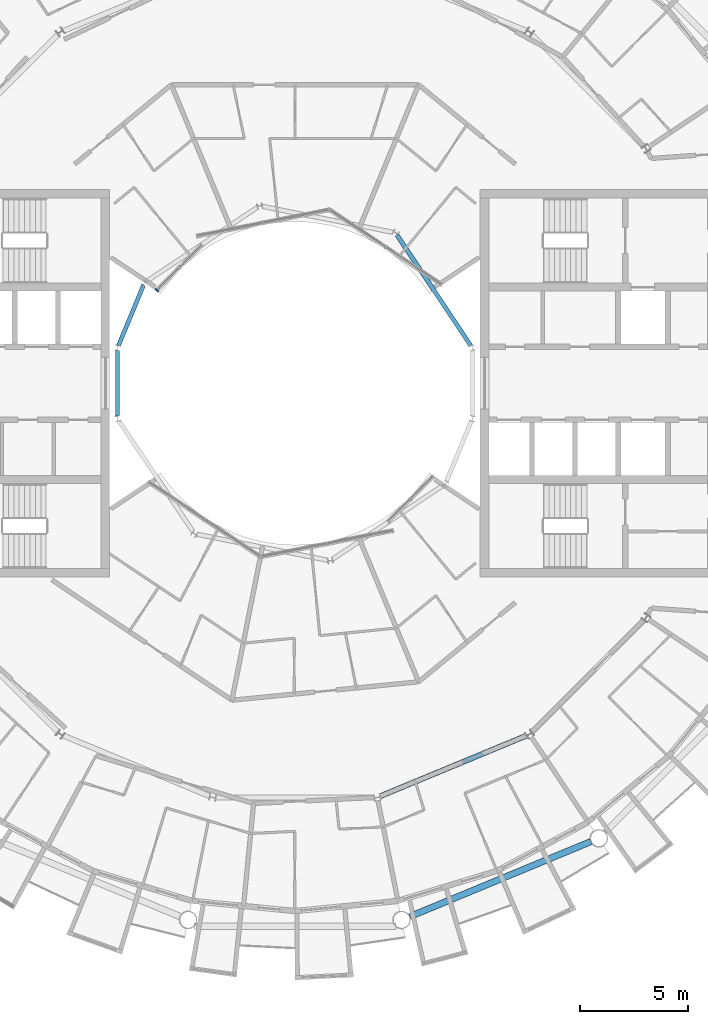
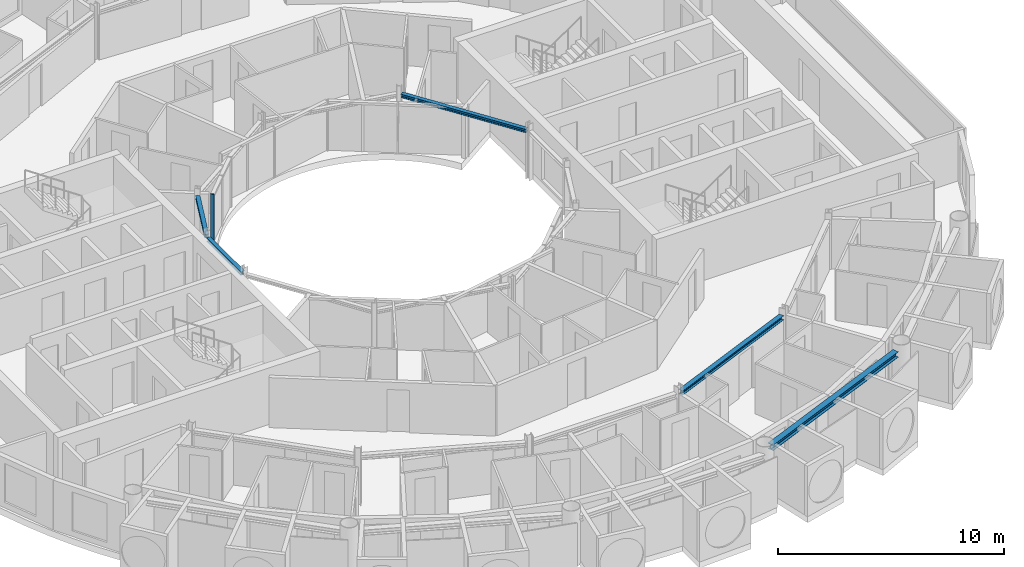
# One storey, part 7 of 27: 5 beams, 1 member, 1 element without a shape of its own.
"""IFC4 building model written with IfcOpenShell, lengths in metres."""

from ifc_helpers import new_model, si_unit, direction, frame, origin, origin_2d, place, context, subcontext, project, spatial, rectangle, i_section, extrude, material, layer, layer_set, material_profile, profile_set, type_object, element, aggregate, save


model = new_model("IFC4")

# Units and contexts
model_context = context("Model", 3, precision=1e-05, world=origin(), true_north=direction((0.0, 1.0)))
body_context = subcontext(model_context, "Body", "Model", "MODEL_VIEW")
ifc_project = project(units=[si_unit("LENGTHUNIT", "METRE"), si_unit("AREAUNIT", "SQUARE_METRE"), si_unit("VOLUMEUNIT", "CUBIC_METRE"), si_unit("PLANEANGLEUNIT", "RADIAN"), si_unit("MASSUNIT", "GRAM", prefix="KILO")], contexts=[model_context])

# Site, building, storey
site_placement = place(None, origin())
site = spatial("IfcSite", under=ifc_project, at=site_placement, CompositionType="ELEMENT")
building_placement = place(site_placement, origin())
building = spatial("IfcBuilding", under=site, at=building_placement, Name="Maasbend Ring Residences", CompositionType="ELEMENT")
storey_placement = place(building_placement, frame((0.0, 0.0, 240.14990234375)))
storey = spatial("IfcBuildingStorey", under=building, at=storey_placement, Name="L69", CompositionType="ELEMENT", Elevation=240.14990234375)

# Curtain wall, member
ifc_material_1 = material(Name="Aluminium and clear glass", Category="aluminium")
ifc_layer = layer(ifc_material_1, 0.179931640625)
ifc_layer_set = layer_set([ifc_layer], Name="CW-W")
curtain_wall_type = type_object("IfcCurtainWallType", Name="CW-W", PredefinedType="NOTDEFINED", material=ifc_layer_set)
curtain_wall_placement = place(storey_placement, origin())
curtain_wall = element("IfcCurtainWall", 1, at=curtain_wall_placement, inside=storey, type_object=curtain_wall_type, Name="Well curtain wall N3", PredefinedType="NOTDEFINED")
ifc_material_2 = material(Name="Aluminium 6063-T6", Category="aluminium")
ifc_material_profile_1 = material_profile(ifc_material_2, rectangle(XDim=0.179931640625, YDim=0.06005859375, at=origin_2d()), Name="AL 180x60")
ifc_profile_set_1 = profile_set([ifc_material_profile_1], Name="Aluminium 6063-T6")
member_type = type_object("IfcMemberType", Name="CWM-W", PredefinedType="MULLION", material=ifc_profile_set_1)
member_placement = place(storey_placement, frame((-6.413330078125, 4.320556640625, 0.0), z_axis=(0.0, 0.0, 1.0), x_axis=(0.707106781187, -0.707106781187, 0.0)))
member = element("IfcMember", 2, at=member_placement, type_object=member_type, Name="Mullion well face", PredefinedType="MULLION", context=body_context, shape_type="SweptSolid", body=[
    extrude(rectangle(XDim=0.179931640625, YDim=0.06005859375, at=origin_2d()), origin(), (0.0, 0.0, 1.0), 2.7001953125),
])
aggregate(curtain_wall, [member])

# Beams
ifc_material_3 = material(Name="Steel S355J2", Category="steel")
ifc_material_profile_2 = material_profile(ifc_material_3, i_section(OverallWidth=0.239990234375, OverallDepth=0.22998046875, WebThickness=0.007568359375, FlangeThickness=0.011962890625, FilletRadius=0.02099609375, at=origin_2d()), Name="HEA 240")
ifc_profile_set_2 = profile_set([ifc_material_profile_2], Name="Steel S355J2")
beam_type_1 = type_object("IfcBeamType", Name="Corridor ring beam HEA 240", PredefinedType="BEAM", material=ifc_profile_set_2)
beam_1_placement = place(storey_placement, frame((3.965087890625, -19.164794921875, 2.585205078125), z_axis=(0.923875784142, 0.382692481603, 0.0), x_axis=(-0.382692481603, 0.923875784142, 0.0)))
element("IfcBeam", 3, at=beam_1_placement, inside=storey, type_object=beam_type_1, Name="Corridor ring beam", PredefinedType="BEAM", context=body_context, shape_type="SweptSolid", body=[
    extrude(i_section(OverallWidth=0.239990234375, OverallDepth=0.22998046875, WebThickness=0.007568359375, FlangeThickness=0.011962890625, FilletRadius=0.02099609375, at=origin_2d()), origin(), (0.0, 0.0, 1.0), 7.341552734375),
])
ifc_material_4 = material(Name="Steel S355J2", Category="steel")
ifc_material_profile_3 = material_profile(ifc_material_4, i_section(OverallWidth=0.300048828125, OverallDepth=0.300048828125, WebThickness=0.010986328125, FlangeThickness=0.01904296875, FilletRadius=0.027099609375, at=origin_2d()), Name="HEB 300")
ifc_profile_set_3 = profile_set([ifc_material_profile_3], Name="Steel S355J2")
beam_type_2 = type_object("IfcBeamType", Name="Spandrel ring beam HEB 300", PredefinedType="SPANDREL", material=ifc_profile_set_3)
beam_2_placement = place(storey_placement, frame((5.330810546875, -24.75634765625, 2.550048828125), z_axis=(0.923880768897, 0.382680447453, 0.0), x_axis=(-0.382680447453, 0.923880768897, 0.0)))
element("IfcBeam", 4, at=beam_2_placement, inside=storey, type_object=beam_type_2, Name="Spandrel ring beam", PredefinedType="SPANDREL", context=body_context, shape_type="SweptSolid", body=[
    extrude(i_section(OverallWidth=0.300048828125, OverallDepth=0.300048828125, WebThickness=0.010986328125, FlangeThickness=0.01904296875, FilletRadius=0.027099609375, at=origin_2d()), origin(), (0.0, 0.0, 1.0), 9.097412109375),
])
ifc_material_5 = material(Name="Steel S355J2", Category="steel")
ifc_material_profile_4 = material_profile(ifc_material_5, i_section(OverallWidth=0.199951171875, OverallDepth=0.18994140625, WebThickness=0.006591796875, FlangeThickness=0.010009765625, FilletRadius=0.01806640625, at=origin_2d()), Name="HEA 200")
ifc_profile_set_4 = profile_set([ifc_material_profile_4], Name="Steel S355J2")
beam_type_3 = type_object("IfcBeamType", Name="Well edge beam HEA 200", PredefinedType="BEAM", material=ifc_profile_set_4)
beam_3_placement = place(storey_placement, frame((8.16943359375, 1.7421875, 2.60498046875), z_axis=(-0.555547729421, 0.831484648286, 0.0), x_axis=(-0.831484648286, -0.555547729421, 0.0)))
element("IfcBeam", 5, at=beam_3_placement, inside=storey, type_object=beam_type_3, Name="Well edge beam", PredefinedType="BEAM", context=body_context, shape_type="SweptSolid", body=[
    extrude(i_section(OverallWidth=0.199951171875, OverallDepth=0.18994140625, WebThickness=0.006591796875, FlangeThickness=0.010009765625, FilletRadius=0.01806640625, at=origin_2d()), origin(), (0.0, 0.0, 1.0), 6.18017578125),
])
for number, where, z_axis, x_axis, name in (
    (6, (-7.029296875, 4.55859375, 2.60498046875), (-0.382609241817, -0.923910259753, 0.0), (0.923910259753, -0.382609241817, 0.0), "Well edge beam"),
    (7, (-8.238525390625, 1.521484375, 2.60498046875), (0.0, -1.0, 0.0), (1.0, 0.0, 0.0), "Well edge beam"),
):
    element("IfcBeam", number, at=place(storey_placement, frame(where, z_axis=z_axis, x_axis=x_axis)), inside=storey, type_object=beam_type_3, Name=name, PredefinedType="BEAM", context=body_context, shape_type="SweptSolid", body=[
        extrude(i_section(OverallWidth=0.199951171875, OverallDepth=0.18994140625, WebThickness=0.006591796875, FlangeThickness=0.010009765625, FilletRadius=0.01806640625, at=origin_2d()), origin(), (0.0, 0.0, 1.0), 3.04296875),
    ])

save(model, "model.ifc")
